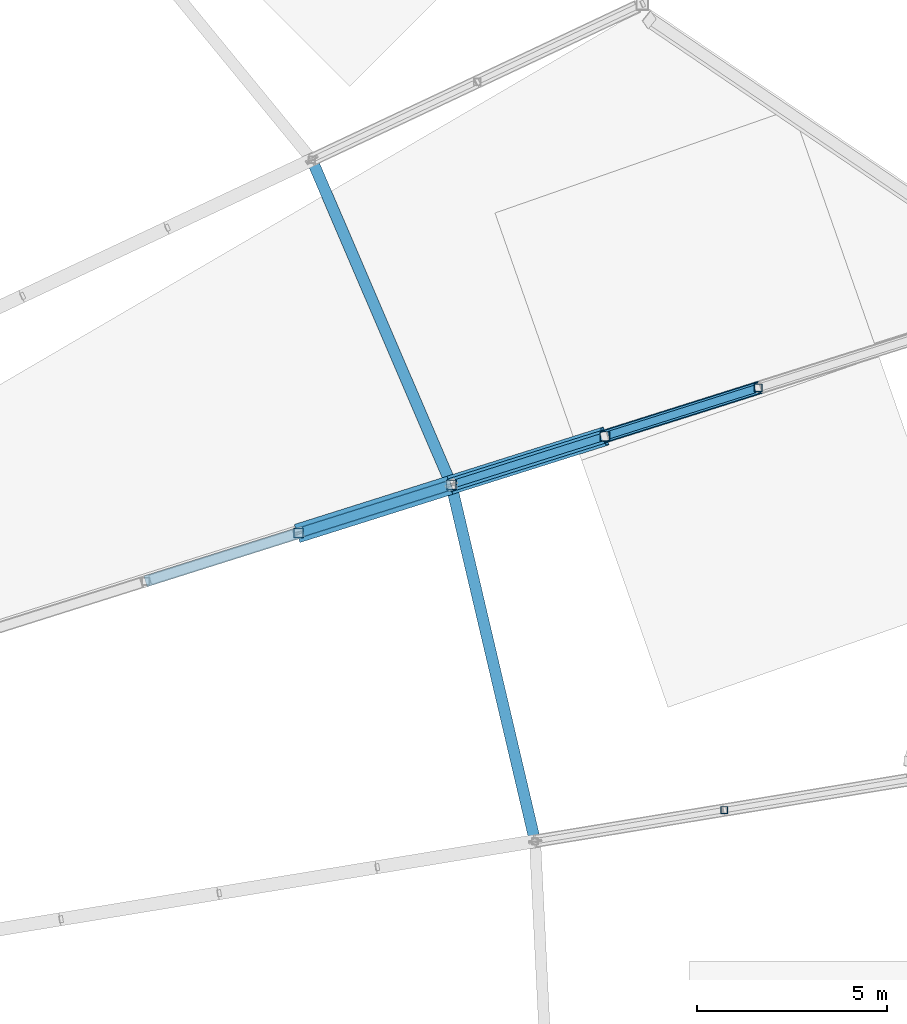
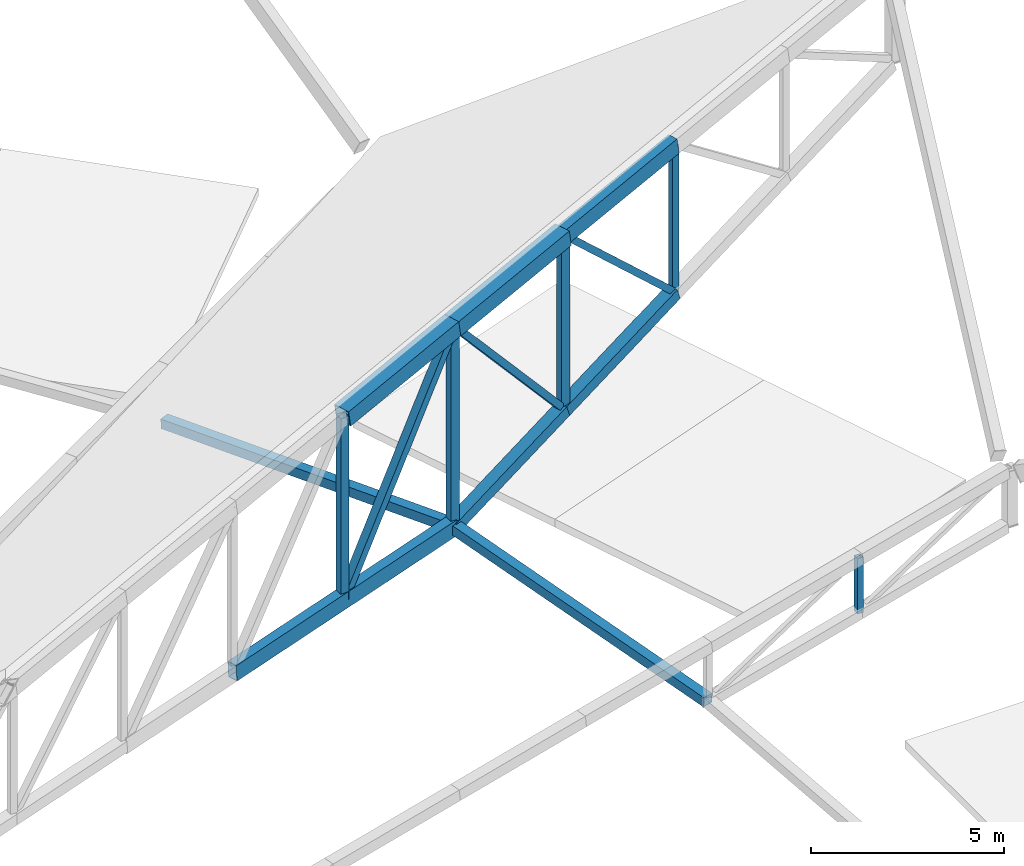
# One storey, part 100 of 188: 16 members.
"""IFC4 building model written with IfcOpenShell, lengths in metres."""

from ifc_helpers import new_model, si_unit, direction, frame, origin, origin_2d, place, context, subcontext, project, spatial, hollow_rectangle, extrude, material, material_profile, profile_set, type_object, element, save


model = new_model("IFC4")

# Units and contexts
model_context = context("Model", 3, precision=1e-05, world=origin(), true_north=direction((0.0, 1.0)))
body_context = subcontext(model_context, "Body", "Model", "MODEL_VIEW")
ifc_project = project(units=[si_unit("LENGTHUNIT", "METRE"), si_unit("AREAUNIT", "SQUARE_METRE"), si_unit("VOLUMEUNIT", "CUBIC_METRE"), si_unit("PLANEANGLEUNIT", "RADIAN"), si_unit("MASSUNIT", "GRAM", prefix="KILO")], contexts=[model_context])

# Site, building, storey
site_placement = place(None, origin())
site = spatial("IfcSite", under=ifc_project, at=site_placement, CompositionType="ELEMENT")
building_placement = place(site_placement, origin())
building = spatial("IfcBuilding", under=site, at=building_placement, Name="Meseta Stadium", CompositionType="ELEMENT")
storey_placement = place(building_placement, frame((0.0, 0.0, 30.0)))
storey = spatial("IfcBuildingStorey", under=building, at=storey_placement, Name="ROOF", CompositionType="ELEMENT", Elevation=30.0)

# Members
ifc_material_1 = material(Name="Steel S355", Category="steel")
ifc_material_profile_1 = material_profile(ifc_material_1, hollow_rectangle(XDim=0.300048828125, YDim=0.5, WallThickness=0.01611328125, at=origin_2d()), Name="RHS 500x300x16")
ifc_profile_set_1 = profile_set([ifc_material_profile_1], Name="Steel S355")
member_type_1 = type_object("IfcMemberType", Name="RHS 500x300x16 bottom chord", PredefinedType="CHORD", material=ifc_profile_set_1)
member_1_placement = place(storey_placement, frame((74.0673828125, 60.6484375, 1.152099609375), z_axis=(0.953186863768, 0.300986604801, 0.029014935307), x_axis=(-0.301113380118, 0.953588345312, 0.0)))
element("IfcMember", 1, at=member_1_placement, inside=storey, type_object=member_type_1, Name="ROOF TRUSS RT-10 bottom chord", PredefinedType="CHORD", context=body_context, shape_type="SweptSolid", body=[
    extrude(hollow_rectangle(XDim=0.300048828125, YDim=0.5, WallThickness=0.01611328125, at=origin_2d()), origin(), (0.0, 0.0, 1.0), 8.447998046875),
])
ifc_material_2 = material(Name="Steel S355", Category="steel")
ifc_material_profile_2 = material_profile(ifc_material_2, hollow_rectangle(XDim=0.300048828125, YDim=0.5, WallThickness=0.01611328125, at=origin_2d()), Name="RHS 500x300x16")
ifc_profile_set_2 = profile_set([ifc_material_profile_2], Name="Steel S355")
member_type_2 = type_object("IfcMemberType", Name="RHS 500x300x16 top chord", PredefinedType="CHORD", material=ifc_profile_set_2)
member_2_placement = place(storey_placement, frame((86.16259765625, 64.4677734375, 8.404052734375), z_axis=(0.941778847197, 0.297376907729, 0.156906270496), x_axis=(-0.301106564665, 0.953590497391, 0.0)))
element("IfcMember", 2, at=member_2_placement, inside=storey, type_object=member_type_2, Name="ROOF TRUSS RT-10 top chord", PredefinedType="CHORD", context=body_context, shape_type="SweptSolid", body=[
    extrude(hollow_rectangle(XDim=0.300048828125, YDim=0.5, WallThickness=0.01611328125, at=origin_2d()), origin(), (0.0, 0.0, 1.0), 4.29296875),
])
ifc_material_3 = material(Name="Steel S355", Category="steel")
ifc_material_profile_3 = material_profile(ifc_material_3, hollow_rectangle(XDim=0.179931640625, YDim=0.179931640625, WallThickness=0.00634765625, at=origin_2d()), Name="SHS 180x180x6.3")
ifc_profile_set_3 = profile_set([ifc_material_profile_3], Name="Steel S355")
member_type_3 = type_object("IfcMemberType", Name="SHS 180x180x6.3 post", PredefinedType="POST", material=ifc_profile_set_3)
member_3_placement = place(storey_placement, frame((89.309814453125, 54.62158203125, 1.353759765625), z_axis=(0.0, 0.0, 1.0), x_axis=(1.0, 0.0, 0.0)))
element("IfcMember", 3, at=member_3_placement, inside=storey, type_object=member_type_3, Name="ROOF TRUSS RT-09 post", PredefinedType="POST", context=body_context, shape_type="SweptSolid", body=[
    extrude(hollow_rectangle(XDim=0.179931640625, YDim=0.179931640625, WallThickness=0.00634765625, at=origin_2d()), origin(), (0.0, 0.0, 1.0), 1.7568359375),
])
ifc_material_4 = material(Name="Steel S355", Category="steel")
ifc_material_profile_4 = material_profile(ifc_material_4, hollow_rectangle(XDim=0.199951171875, YDim=0.199951171875, WallThickness=0.008056640625, at=origin_2d()), Name="SHS 200x200x8")
ifc_profile_set_4 = profile_set([ifc_material_profile_4], Name="Steel S355")
member_type_4 = type_object("IfcMemberType", Name="SHS 200x200x8 diagonal", PredefinedType="BRACE", material=ifc_profile_set_4)
member_4_placement = place(storey_placement, frame((82.119873046875, 63.191162109375, 7.73046875), z_axis=(0.629316744407, 0.198725602784, -0.751311233782), x_axis=(-0.301123099749, 0.953585276102, 0.0)))
element("IfcMember", 4, at=member_4_placement, inside=storey, type_object=member_type_4, Name="ROOF TRUSS RT-10 diagonal", PredefinedType="BRACE", context=body_context, shape_type="SweptSolid", body=[
    extrude(hollow_rectangle(XDim=0.199951171875, YDim=0.199951171875, WallThickness=0.008056640625, at=origin_2d()), origin(), (0.0, 0.0, 1.0), 6.424072265625),
])
member_5_placement = place(storey_placement, frame((86.16259765625, 64.4677734375, 8.404052734375), z_axis=(0.694173503275, 0.219192829023, -0.685622090554), x_axis=(-0.301106564665, 0.953590497391, 0.0)))
element("IfcMember", 5, at=member_5_placement, inside=storey, type_object=member_type_4, Name="ROOF TRUSS RT-10 diagonal", PredefinedType="BRACE", context=body_context, shape_type="SweptSolid", body=[
    extrude(hollow_rectangle(XDim=0.199951171875, YDim=0.199951171875, WallThickness=0.008056640625, at=origin_2d()), origin(), (0.0, 0.0, 1.0), 5.82421875),
])
ifc_material_5 = material(Name="Steel S355", Category="steel")
ifc_material_profile_5 = material_profile(ifc_material_5, hollow_rectangle(XDim=0.199951171875, YDim=0.199951171875, WallThickness=0.008056640625, at=origin_2d()), Name="SHS 200x200x8")
ifc_profile_set_5 = profile_set([ifc_material_profile_5], Name="Steel S355")
member_type_5 = type_object("IfcMemberType", Name="SHS 200x200x8 post", PredefinedType="POST", material=ifc_profile_set_5)
member_6_placement = place(storey_placement, frame((90.20556640625, 65.744384765625, 4.410888671875), z_axis=(0.0, 0.0, 1.0), x_axis=(1.0, 0.0, 0.0)))
element("IfcMember", 6, at=member_6_placement, inside=storey, type_object=member_type_5, Name="ROOF TRUSS RT-10 post", PredefinedType="POST", context=body_context, shape_type="SweptSolid", body=[
    extrude(hollow_rectangle(XDim=0.199951171875, YDim=0.199951171875, WallThickness=0.008056640625, at=origin_2d()), origin(), (0.0, 0.0, 1.0), 4.666748046875),
])
ifc_material_6 = material(Name="Steel S355", Category="steel")
ifc_material_profile_6 = material_profile(ifc_material_6, hollow_rectangle(XDim=0.25, YDim=0.25, WallThickness=0.010009765625, at=origin_2d()), Name="SHS 250x250x10")
ifc_profile_set_6 = profile_set([ifc_material_profile_6], Name="Steel S355")
member_type_6 = type_object("IfcMemberType", Name="SHS 250x250x10 diagonal", PredefinedType="BRACE", material=ifc_profile_set_6)
member_7_placement = place(storey_placement, frame((78.093505859375, 61.919921875, 1.274658203125), z_axis=(0.521958545703, 0.164797365236, 0.836899698279), x_axis=(-0.301078788848, 0.953599267463, 0.0)))
element("IfcMember", 7, at=member_7_placement, inside=storey, type_object=member_type_6, Name="ROOF TRUSS RT-10 diagonal", PredefinedType="BRACE", context=body_context, shape_type="SweptSolid", body=[
    extrude(hollow_rectangle(XDim=0.25, YDim=0.25, WallThickness=0.010009765625, at=origin_2d()), origin(), (0.0, 0.0, 1.0), 7.7138671875),
])
ifc_material_7 = material(Name="Steel S355", Category="steel")
ifc_material_profile_7 = material_profile(ifc_material_7, hollow_rectangle(XDim=0.25, YDim=0.25, WallThickness=0.010009765625, at=origin_2d()), Name="SHS 250x250x10")
ifc_profile_set_7 = profile_set([ifc_material_profile_7], Name="Steel S355")
member_type_7 = type_object("IfcMemberType", Name="SHS 250x250x10 post", PredefinedType="POST", material=ifc_profile_set_7)
member_8_placement = place(storey_placement, frame((78.093505859375, 61.919921875, 1.274658203125), z_axis=(0.0, 0.0, 1.0), x_axis=(1.0, 0.0, 0.0)))
element("IfcMember", 8, at=member_8_placement, inside=storey, type_object=member_type_7, Name="ROOF TRUSS RT-10 post", PredefinedType="POST", context=body_context, shape_type="SweptSolid", body=[
    extrude(hollow_rectangle(XDim=0.25, YDim=0.25, WallThickness=0.010009765625, at=origin_2d()), origin(), (0.0, 0.0, 1.0), 5.78515625),
])
member_9_placement = place(storey_placement, frame((82.119873046875, 63.191162109375, 1.397216796875), z_axis=(0.0, 0.0, 1.0), x_axis=(1.0, 0.0, 0.0)))
element("IfcMember", 9, at=member_9_placement, inside=storey, type_object=member_type_7, Name="ROOF TRUSS RT-10 post", PredefinedType="POST", context=body_context, shape_type="SweptSolid", body=[
    extrude(hollow_rectangle(XDim=0.25, YDim=0.25, WallThickness=0.010009765625, at=origin_2d()), origin(), (0.0, 0.0, 1.0), 6.333251953125),
])
member_10_placement = place(storey_placement, frame((86.16259765625, 64.4677734375, 2.904052734375), z_axis=(0.0, 0.0, 1.0), x_axis=(1.0, 0.0, 0.0)))
element("IfcMember", 10, at=member_10_placement, inside=storey, type_object=member_type_7, Name="ROOF TRUSS RT-10 post", PredefinedType="POST", context=body_context, shape_type="SweptSolid", body=[
    extrude(hollow_rectangle(XDim=0.25, YDim=0.25, WallThickness=0.010009765625, at=origin_2d()), origin(), (0.0, 0.0, 1.0), 5.5),
])
ifc_material_8 = material(Name="Steel S355", Category="steel")
ifc_material_profile_8 = material_profile(ifc_material_8, hollow_rectangle(XDim=0.300048828125, YDim=0.300048828125, WallThickness=0.010009765625, at=origin_2d()), Name="SHS 300x300x10")
ifc_profile_set_8 = profile_set([ifc_material_profile_8], Name="Steel S355")
member_type_8 = type_object("IfcMemberType", Name="SHS 300x300x10 pivot strut", PredefinedType="STRUT", material=ifc_profile_set_8)
member_11_placement = place(storey_placement, frame((84.3251953125, 53.801513671875, 0.800048828125), z_axis=(-0.228208708558, 0.971649167624, 0.061795472283), x_axis=(-0.973509706739, -0.228645688533, 0.0)))
element("IfcMember", 11, at=member_11_placement, inside=storey, type_object=member_type_8, Name="ROOF PIVOT STRUT RT-09/10", PredefinedType="STRUT", context=body_context, shape_type="SweptSolid", body=[
    extrude(hollow_rectangle(XDim=0.300048828125, YDim=0.300048828125, WallThickness=0.010009765625, at=origin_2d()), origin(), (0.0, 0.0, 1.0), 9.66357421875),
])
member_12_placement = place(storey_placement, frame((82.119873046875, 63.191162109375, 1.397216796875), z_axis=(-0.393423397787, 0.91702077212, -0.065505217916), x_axis=(-0.918994564063, -0.394270200779, 0.0)))
element("IfcMember", 12, at=member_12_placement, inside=storey, type_object=member_type_8, Name="ROOF PIVOT STRUT RT-10/11", PredefinedType="STRUT", context=body_context, shape_type="SweptSolid", body=[
    extrude(hollow_rectangle(XDim=0.300048828125, YDim=0.300048828125, WallThickness=0.010009765625, at=origin_2d()), origin(), (0.0, 0.0, 1.0), 9.33984375),
])
ifc_material_9 = material(Name="Steel S355", Category="steel")
ifc_material_profile_9 = material_profile(ifc_material_9, hollow_rectangle(XDim=0.35009765625, YDim=0.35009765625, WallThickness=0.010009765625, at=origin_2d()), Name="SHS 350x350x10")
ifc_profile_set_9 = profile_set([ifc_material_profile_9], Name="Steel S355")
member_type_9 = type_object("IfcMemberType", Name="SHS 350x350x10 bottom chord", PredefinedType="CHORD", material=ifc_profile_set_9)
member_13_placement = place(storey_placement, frame((82.119873046875, 63.191162109375, 1.397216796875), z_axis=(0.898518294151, 0.28373405158, 0.334902766562), x_axis=(-0.301123099749, 0.953585276102, 0.0)))
element("IfcMember", 13, at=member_13_placement, inside=storey, type_object=member_type_9, Name="ROOF TRUSS RT-10 bottom chord", PredefinedType="CHORD", context=body_context, shape_type="SweptSolid", body=[
    extrude(hollow_rectangle(XDim=0.35009765625, YDim=0.35009765625, WallThickness=0.010009765625, at=origin_2d()), origin(), (0.0, 0.0, 1.0), 4.499267578125),
])
member_14_placement = place(storey_placement, frame((86.16259765625, 64.4677734375, 2.904052734375), z_axis=(0.898528747696, 0.283720218702, 0.334886439057), x_axis=(-0.301106564665, 0.953590497391, 0.0)))
element("IfcMember", 14, at=member_14_placement, inside=storey, type_object=member_type_9, Name="ROOF TRUSS RT-10 bottom chord", PredefinedType="CHORD", context=body_context, shape_type="SweptSolid", body=[
    extrude(hollow_rectangle(XDim=0.35009765625, YDim=0.35009765625, WallThickness=0.010009765625, at=origin_2d()), origin(), (0.0, 0.0, 1.0), 4.49951171875),
])
ifc_material_10 = material(Name="Steel S355", Category="steel")
ifc_material_profile_10 = material_profile(ifc_material_10, hollow_rectangle(XDim=0.5, YDim=0.5, WallThickness=0.01611328125, at=origin_2d()), Name="SHS 500x500x16")
ifc_profile_set_10 = profile_set([ifc_material_profile_10], Name="Steel S355")
member_type_10 = type_object("IfcMemberType", Name="SHS 500x500x16 top chord", PredefinedType="CHORD", material=ifc_profile_set_10)
member_15_placement = place(storey_placement, frame((78.093505859375, 61.919921875, 7.059814453125), z_axis=(0.941792955219, 0.297351195599, 0.156870315789), x_axis=(-0.301078788848, 0.953599267463, 0.0)))
element("IfcMember", 15, at=member_15_placement, inside=storey, type_object=member_type_10, Name="ROOF TRUSS RT-10 top chord", PredefinedType="CHORD", context=body_context, shape_type="SweptSolid", body=[
    extrude(hollow_rectangle(XDim=0.5, YDim=0.5, WallThickness=0.01611328125, at=origin_2d()), origin(), (0.0, 0.0, 1.0), 4.275146484375),
])
member_16_placement = place(storey_placement, frame((82.119873046875, 63.191162109375, 7.73046875), z_axis=(0.9417724173, 0.297392835924, 0.156914674759), x_axis=(-0.301123099749, 0.953585276102, 0.0)))
element("IfcMember", 16, at=member_16_placement, inside=storey, type_object=member_type_10, Name="ROOF TRUSS RT-10 top chord", PredefinedType="CHORD", context=body_context, shape_type="SweptSolid", body=[
    extrude(hollow_rectangle(XDim=0.5, YDim=0.5, WallThickness=0.01611328125, at=origin_2d()), origin(), (0.0, 0.0, 1.0), 4.292724609375),
])

save(model, "model.ifc")
